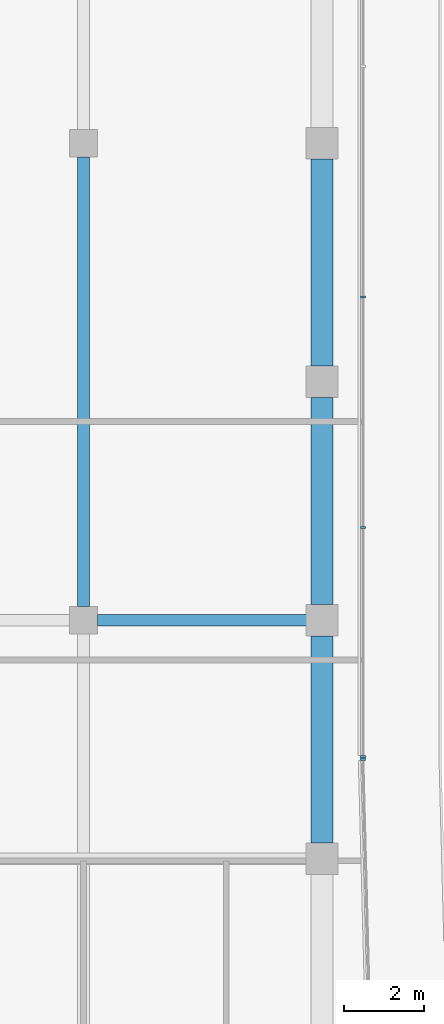
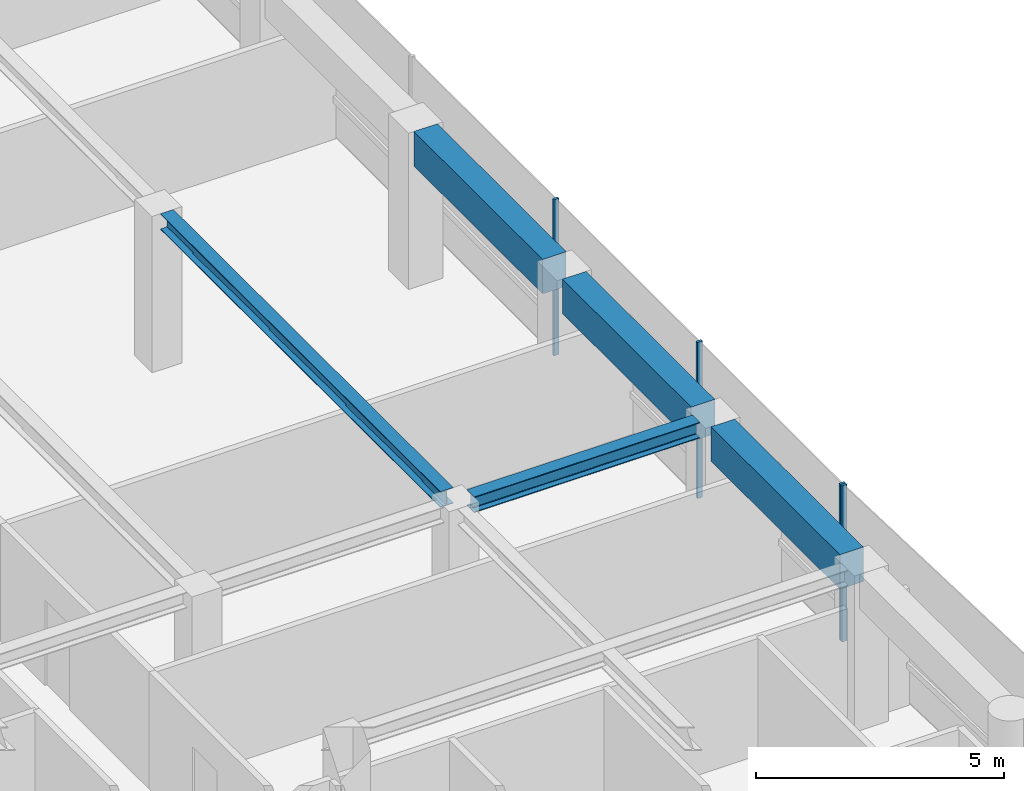
# One storey, part 8 of 20: 5 beams, 4 members, 2 elements without a shape of their own.
"""IFC4 building model written with IfcOpenShell, lengths in metres."""

import ifcopenshell
import ifcopenshell.guid

model = None  # the IFC model being written
_history = None  # IfcOwnerHistory: only IFC2X3 demands one
_inside = {}  # id of a spatial element -> (the spatial element, [elements in it])
_under = {}  # id of a project, library or spatial element -> (it, [spatial elements below it])
_declared = {}  # id of a project -> (the project, [libraries it declares])
_typed = {}  # id of a type object -> (the type object, [elements of that type])
_made_of = {}  # id of a material, layer set ... -> (it, [elements and type objects made of it])


def new_model(schema):
    """Start an empty IFC model of exactly this schema.

    Asked for "IFC4X3", IfcOpenShell would pick the latest addendum, in which some entities
    have other attributes; the version numbers below select the first issue.
    IFC2X3 requires an IfcOwnerHistory on every rooted entity: one is made here for all.
    """
    global model, _history
    if schema == "IFC4X3":
        model = ifcopenshell.file(schema_version=(4, 3, 0, 0))
    else:
        model = ifcopenshell.file(schema=schema)
    _inside.clear()
    _under.clear()
    _declared.clear()
    _typed.clear()
    _made_of.clear()
    _history = None
    if model.schema == "IFC2X3":
        org = make("IfcOrganization", Name="unknown")
        user = make(
            "IfcPersonAndOrganization",
            ThePerson=make("IfcPerson", FamilyName="unknown"),
            TheOrganization=org,
        )
        app = make(
            "IfcApplication",
            ApplicationDeveloper=org,
            Version="unknown",
            ApplicationFullName="unknown",
            ApplicationIdentifier="unknown",
        )
        _history = make(
            "IfcOwnerHistory",
            OwningUser=user,
            OwningApplication=app,
            ChangeAction="ADDED",
            CreationDate=0,
        )
    return model


def make(cls, **values):
    """One entity of the class cls with the attributes given. An attribute that is None is left unset."""
    return model.create_entity(
        cls, **{name: value for name, value in values.items() if value is not None}
    )


def rooted(cls, **values):
    """An entity with a GlobalId (a new one), such as an element, a storey or a relation."""
    return make(cls, GlobalId=ifcopenshell.guid.new(), OwnerHistory=_history, **values)


def si_unit(unit_type, name, prefix=None):
    """IfcSIUnit, for example si_unit("LENGTHUNIT", "METRE", prefix="MILLI")."""
    return make("IfcSIUnit", UnitType=unit_type, Prefix=prefix, Name=name)


def assignment(units):
    """IfcUnitAssignment: the units of a project."""
    return None if units is None else make("IfcUnitAssignment", Units=units)


def point(xyz):
    """IfcCartesianPoint."""
    return None if xyz is None else make("IfcCartesianPoint", Coordinates=xyz)


def direction(xyz):
    """IfcDirection."""
    return None if xyz is None else make("IfcDirection", DirectionRatios=xyz)


def frame(location, z_axis=None, x_axis=None):
    """IfcAxis2Placement3D, a coordinate frame: its origin and axes. An axis left out is left unset."""
    return make(
        "IfcAxis2Placement3D",
        Location=point(location),
        Axis=direction(z_axis),
        RefDirection=direction(x_axis),
    )


def frame_2d(location, x_axis=None):
    """IfcAxis2Placement2D, a coordinate frame in the plane: its origin and x axis."""
    return make(
        "IfcAxis2Placement2D", Location=point(location), RefDirection=direction(x_axis)
    )


def origin():
    """The frame at (0, 0, 0) with its axes left unset."""
    return frame((0.0, 0.0, 0.0))


def origin_2d():
    """The frame at (0, 0) in the plane with its x axis left unset."""
    return frame_2d((0.0, 0.0))


def place(relative_to, where):
    """IfcLocalPlacement: puts the frame where relative to a parent placement (None: the world)."""
    return make(
        "IfcLocalPlacement", PlacementRelTo=relative_to, RelativePlacement=where
    )


def context(
    kind, dimensions, precision=None, world=None, true_north=None, identifier=None
):
    """IfcGeometricRepresentationContext, for example the 3D "Model" context."""
    return make(
        "IfcGeometricRepresentationContext",
        ContextIdentifier=identifier,
        ContextType=kind,
        CoordinateSpaceDimension=dimensions,
        Precision=precision,
        WorldCoordinateSystem=world,
        TrueNorth=true_north,
    )


def subcontext(parent, identifier, kind, view, scale=None):
    """IfcGeometricRepresentationSubContext, for example "Body" below "Model"."""
    return make(
        "IfcGeometricRepresentationSubContext",
        ContextIdentifier=identifier,
        ContextType=kind,
        ParentContext=parent,
        TargetScale=scale,
        TargetView=view,
    )


def project(units=None, contexts=None):
    """IfcProject with its units and contexts."""
    return rooted(
        "IfcProject",
        Name="project",
        RepresentationContexts=contexts,
        UnitsInContext=assignment(units),
    )


def spatial(cls, under=None, at=None, **own):
    """A site, building, storey or space (cls), placed at a placement, below another one or the project."""
    s = rooted(cls, ObjectPlacement=at, **own)
    if under is not None:
        _under.setdefault(under.id(), (under, []))[1].append(s)
    return s


def profile(cls, at=None, kind="AREA", **sizes):
    """A parametric profile (cls). Its sizes go by their IFC names, for example OverallWidth=200.0."""
    return make(cls, ProfileType=kind, Position=at, **sizes)


def rectangle(**sizes):
    """IfcRectangleProfileDef."""
    return profile("IfcRectangleProfileDef", **sizes)


def i_section(**sizes):
    """IfcIShapeProfileDef."""
    return profile("IfcIShapeProfileDef", **sizes)


def extrude(swept, where, along, depth):
    """IfcExtrudedAreaSolid: the profile swept, set in the frame where, extruded along a direction by depth."""
    return make(
        "IfcExtrudedAreaSolid",
        SweptArea=swept,
        Position=where,
        ExtrudedDirection=direction(along),
        Depth=depth,
    )


def shape(context_of_items, identifier, shape_type, items):
    """IfcShapeRepresentation: the items that make up one representation, for example the "Body"."""
    return make(
        "IfcShapeRepresentation",
        ContextOfItems=context_of_items,
        RepresentationIdentifier=identifier,
        RepresentationType=shape_type,
        Items=items,
    )


def material(Name=None, Category=None):
    """IfcMaterial."""
    return make("IfcMaterial", Name=Name, Category=Category)


def layer(
    of_material, thickness, ventilated=None, Name=None, Category=None, Priority=None
):
    """IfcMaterialLayer: one layer of a wall or slab, of a material (None: an air gap)."""
    return make(
        "IfcMaterialLayer",
        Material=of_material,
        LayerThickness=thickness,
        IsVentilated=ventilated,
        Name=Name,
        Category=Category,
        Priority=Priority,
    )


def layer_set(layers, Name=None):
    """IfcMaterialLayerSet."""
    return make("IfcMaterialLayerSet", MaterialLayers=layers, LayerSetName=Name)


def material_profile(
    of_material, cross_section, Name=None, Category=None, Priority=None
):
    """IfcMaterialProfile: a cross section and its material."""
    return make(
        "IfcMaterialProfile",
        Name=Name,
        Material=of_material,
        Profile=cross_section,
        Priority=Priority,
        Category=Category,
    )


def profile_set(profiles, Name=None, composite=None):
    """IfcMaterialProfileSet."""
    return make(
        "IfcMaterialProfileSet",
        Name=Name,
        MaterialProfiles=profiles,
        CompositeProfile=composite,
    )


def made_of(thing, what):
    """Note that an element or type object is made of a material, layer set ...; save() writes the relation."""
    if what is not None:
        _made_of.setdefault(what.id(), (what, []))[1].append(thing)
    return thing


def type_object(cls, material=None, **own):
    """A type object (cls), such as IfcWallType, which elements share."""
    return made_of(rooted(cls, **own), material)


def element(
    cls,
    number,
    at=None,
    inside=None,
    cuts=None,
    type_object=None,
    material=None,
    context=None,
    identifier="Body",
    shape_type=None,
    held_by="IfcProductDefinitionShape",
    body=None,
    shapes=None,
    **own,
):
    """One element of the class cls, such as IfcWall. Its Tag is "e" and its number.

    at: its placement. inside: the storey or other place that contains it. cuts: it is an
    opening in that element (IfcRelVoidsElement). A single representation is given by context,
    identifier, shape_type and body (its items); several are given by shapes. held_by: the class
    of the entity that holds the representations. save() writes the other relations.
    """
    e = rooted(cls, Tag="e%d" % number, ObjectPlacement=at, **own)
    if body is not None:
        shapes = [shape(context, identifier, shape_type, body)]
    if shapes is not None:
        e.Representation = make(held_by, Representations=shapes)
    if inside is not None:
        _inside.setdefault(inside.id(), (inside, []))[1].append(e)
    if cuts is not None:
        rooted(
            "IfcRelVoidsElement", RelatingBuildingElement=cuts, RelatedOpeningElement=e
        )
    if type_object is not None:
        _typed.setdefault(type_object.id(), (type_object, []))[1].append(e)
    return made_of(e, material)


def aggregate(whole, parts):
    """IfcRelAggregates: a whole, such as a stair, and the parts it consists of."""
    return rooted("IfcRelAggregates", RelatingObject=whole, RelatedObjects=parts)


def save(model, path):
    """Write the relations noted so far, then the file.

    IfcRelAggregates (storeys below a building ...), IfcRelContainedInSpatialStructure (elements
    in a storey), IfcRelDefinesByType, IfcRelAssociatesMaterial and IfcRelDeclares: one each for
    every whole, place, type object, material and project.
    """
    for whole, parts in _under.values():
        aggregate(whole, parts)
    for where, things in _inside.values():
        rooted(
            "IfcRelContainedInSpatialStructure",
            RelatedElements=things,
            RelatingStructure=where,
        )
    for kind, things in _typed.values():
        rooted("IfcRelDefinesByType", RelatedObjects=things, RelatingType=kind)
    for what, things in _made_of.values():
        rooted("IfcRelAssociatesMaterial", RelatedObjects=things, RelatingMaterial=what)
    for by, libraries in _declared.values():
        rooted("IfcRelDeclares", RelatingContext=by, RelatedDefinitions=libraries)
    model.write(path)


model = new_model("IFC4")

# Units and contexts
model_context = context("Model", 3, precision=1e-05, world=origin(), true_north=direction((0.0, 1.0)))
body_context = subcontext(model_context, "Body", "Model", "MODEL_VIEW")
ifc_project = project(units=[si_unit("LENGTHUNIT", "METRE"), si_unit("AREAUNIT", "SQUARE_METRE"), si_unit("VOLUMEUNIT", "CUBIC_METRE"), si_unit("PLANEANGLEUNIT", "RADIAN"), si_unit("MASSUNIT", "GRAM", prefix="KILO")], contexts=[model_context])

# Site, building, storey
site_placement = place(None, origin())
site = spatial("IfcSite", under=ifc_project, at=site_placement, CompositionType="ELEMENT")
building_placement = place(site_placement, origin())
building = spatial("IfcBuilding", under=site, at=building_placement, Name="Welwitschia Terrace Campus", CompositionType="ELEMENT")
storey_placement = place(building_placement, frame((0.0, 0.0, 222.199951171875)))
storey = spatial("IfcBuildingStorey", under=building, at=storey_placement, Name="L49", CompositionType="ELEMENT", Elevation=222.199951171875)

# Beams
ifc_material_1 = material(Name="Steel S355", Category="steel")
ifc_material_profile_1 = material_profile(ifc_material_1, i_section(OverallWidth=0.300048828125, OverallDepth=0.389892578125, WebThickness=0.010986328125, FlangeThickness=0.01904296875, FilletRadius=0.027099609375, at=origin_2d()))
ifc_profile_set_1 = profile_set([ifc_material_profile_1], Name="Steel S355")
beam_type_1 = type_object("IfcBeamType", Name="Interior girder HE 400 A", PredefinedType="BEAM", material=ifc_profile_set_1)
beam_1_placement = place(storey_placement, frame((18.3505859375, 40.0, 3.655029296875), z_axis=(1.0, 0.0, 0.0), x_axis=(0.0, 1.0, 0.0)))
element("IfcBeam", 1, at=beam_1_placement, inside=storey, type_object=beam_type_1, Name="Girder GB5", PredefinedType="BEAM", context=body_context, shape_type="SweptSolid", body=[
    extrude(i_section(OverallWidth=0.300048828125, OverallDepth=0.389892578125, WebThickness=0.010986328125, FlangeThickness=0.01904296875, FilletRadius=0.027099609375, at=origin_2d()), origin(), (0.0, 0.0, 1.0), 5.259033203125),
])
beam_2_placement = place(storey_placement, frame((18.0, 40.3505859375, 3.655029296875), z_axis=(0.0, 1.0, 0.0), x_axis=(-1.0, 0.0, 0.0)))
element("IfcBeam", 2, at=beam_2_placement, inside=storey, type_object=beam_type_1, Name="Girder GB5", PredefinedType="BEAM", context=body_context, shape_type="SweptSolid", body=[
    extrude(i_section(OverallWidth=0.300048828125, OverallDepth=0.389892578125, WebThickness=0.010986328125, FlangeThickness=0.01904296875, FilletRadius=0.027099609375, at=origin_2d()), origin(), (0.0, 0.0, 1.0), 11.298828125),
])

# Curtain wall, member
ifc_material_2 = material(Name="Bronze anodised aluminium", Category="aluminium")
ifc_layer = layer(ifc_material_2, 0.1201171875)
ifc_layer_set = layer_set([ifc_layer], Name="Bronze anodised aluminium")
curtain_wall_type = type_object("IfcCurtainWallType", Name="Curtain wall CW2 tower 6000", PredefinedType="NOTDEFINED", material=ifc_layer_set)
curtain_wall_1_placement = place(storey_placement, origin())
curtain_wall_1 = element("IfcCurtainWall", 3, at=curtain_wall_1_placement, inside=storey, type_object=curtain_wall_type, Name="CW L49.7.0", PredefinedType="NOTDEFINED")
ifc_material_3 = material(Name="Bronze anodised aluminium", Category="aluminium")
ifc_material_profile_2 = material_profile(ifc_material_3, rectangle(XDim=0.1201171875, YDim=0.06005859375, at=origin_2d()))
ifc_profile_set_2 = profile_set([ifc_material_profile_2], Name="Bronze anodised aluminium")
member_type = type_object("IfcMemberType", Name="Mullion 60x120", PredefinedType="MULLION", material=ifc_profile_set_2)
member_1_placement = place(storey_placement, frame((25.03076171875, 36.5029296875, 0.0), z_axis=(0.0, 0.0, 1.0), x_axis=(-0.999657324976, -0.026176948308, 0.0)))
member_1 = element("IfcMember", 4, at=member_1_placement, type_object=member_type, Name="Mullion L49.7.0.1", PredefinedType="MULLION", context=body_context, shape_type="SweptSolid", body=[
    extrude(rectangle(XDim=0.1201171875, YDim=0.06005859375, at=origin_2d()), origin(), (0.0, 0.0, 1.0), 3.85009765625),
])
aggregate(curtain_wall_1, [member_1])

# Curtain wall, members
curtain_wall_2_placement = place(storey_placement, origin())
curtain_wall_2 = element("IfcCurtainWall", 5, at=curtain_wall_2_placement, inside=storey, type_object=curtain_wall_type, Name="CW L49.8.0", PredefinedType="NOTDEFINED")
member_2_placement = place(storey_placement, frame((25.030029296875, 36.562744140625, 0.0), z_axis=(0.0, 0.0, 1.0), x_axis=(-1.0, 0.0, 0.0)))
member_2 = element("IfcMember", 6, at=member_2_placement, type_object=member_type, Name="Mullion L49.8.0.0", PredefinedType="MULLION", context=body_context, shape_type="SweptSolid", body=[
    extrude(rectangle(XDim=0.1201171875, YDim=0.06005859375, at=origin_2d()), origin(), (0.0, 0.0, 1.0), 3.85009765625),
])
member_3_placement = place(storey_placement, frame((25.030029296875, 42.33251953125, 0.0), z_axis=(0.0, 0.0, 1.0), x_axis=(-1.0, 0.0, 0.0)))
member_3 = element("IfcMember", 7, at=member_3_placement, type_object=member_type, Name="Mullion L49.8.0.1", PredefinedType="MULLION", context=body_context, shape_type="SweptSolid", body=[
    extrude(rectangle(XDim=0.1201171875, YDim=0.06005859375, at=origin_2d()), origin(), (0.0, 0.0, 1.0), 3.85009765625),
])
member_4_placement = place(storey_placement, frame((25.030029296875, 48.13232421875, 0.0), z_axis=(0.0, 0.0, 1.0), x_axis=(-1.0, 0.0, 0.0)))
member_4 = element("IfcMember", 8, at=member_4_placement, type_object=member_type, Name="Mullion L49.8.0.2", PredefinedType="MULLION", context=body_context, shape_type="SweptSolid", body=[
    extrude(rectangle(XDim=0.1201171875, YDim=0.06005859375, at=origin_2d()), origin(), (0.0, 0.0, 1.0), 3.85009765625),
])
aggregate(curtain_wall_2, [member_2, member_3, member_4])

# Beams
ifc_material_4 = material(Name="Concrete C50/60", Category="concrete")
ifc_material_profile_3 = material_profile(ifc_material_4, rectangle(XDim=0.550048828125, YDim=0.85009765625, at=origin_2d()))
ifc_profile_set_3 = profile_set([ifc_material_profile_3], Name="Concrete C50/60")
beam_type_2 = type_object("IfcBeamType", Name="Ring spandrel 550x850", PredefinedType="SPANDREL", material=ifc_profile_set_3)
for number, where, z_axis, x_axis, name in (
    (9, (24.0, 34.400390625, 3.425048828125), (0.0, 1.0, 0.0), (-1.0, 0.0, 0.0), "Spandrel SP3"),
    (10, (24.0, 40.400390625, 3.425048828125), (0.0, 1.0, 0.0), (-1.0, 0.0, 0.0), "Spandrel SP3"),
    (11, (24.0, 46.400390625, 3.425048828125), (0.0, 1.0, 0.0), (-1.0, 0.0, 0.0), "Spandrel SP3"),
):
    element("IfcBeam", number, at=place(storey_placement, frame(where, z_axis=z_axis, x_axis=x_axis)), inside=storey, type_object=beam_type_2, Name=name, PredefinedType="SPANDREL", context=body_context, shape_type="SweptSolid", body=[
        extrude(rectangle(XDim=0.550048828125, YDim=0.85009765625, at=origin_2d()), origin(), (0.0, 0.0, 1.0), 5.19921875),
    ])

save(model, "model.ifc")
